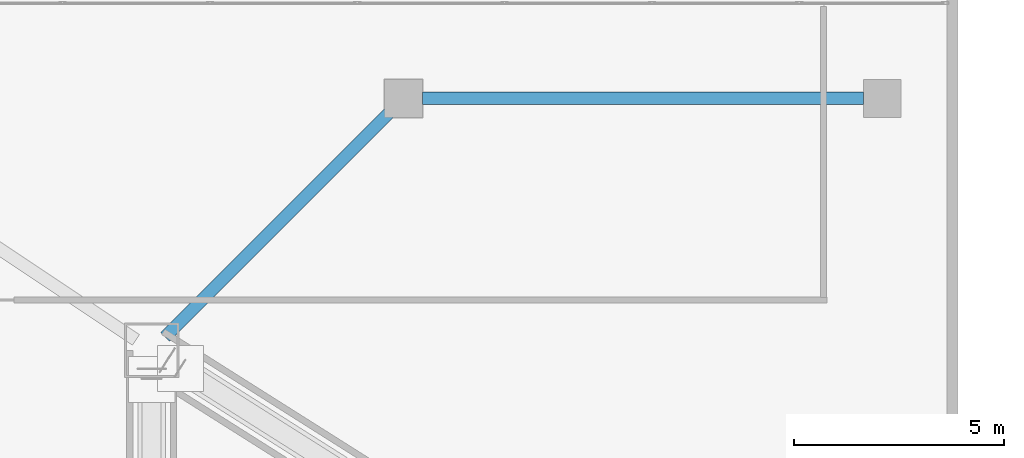
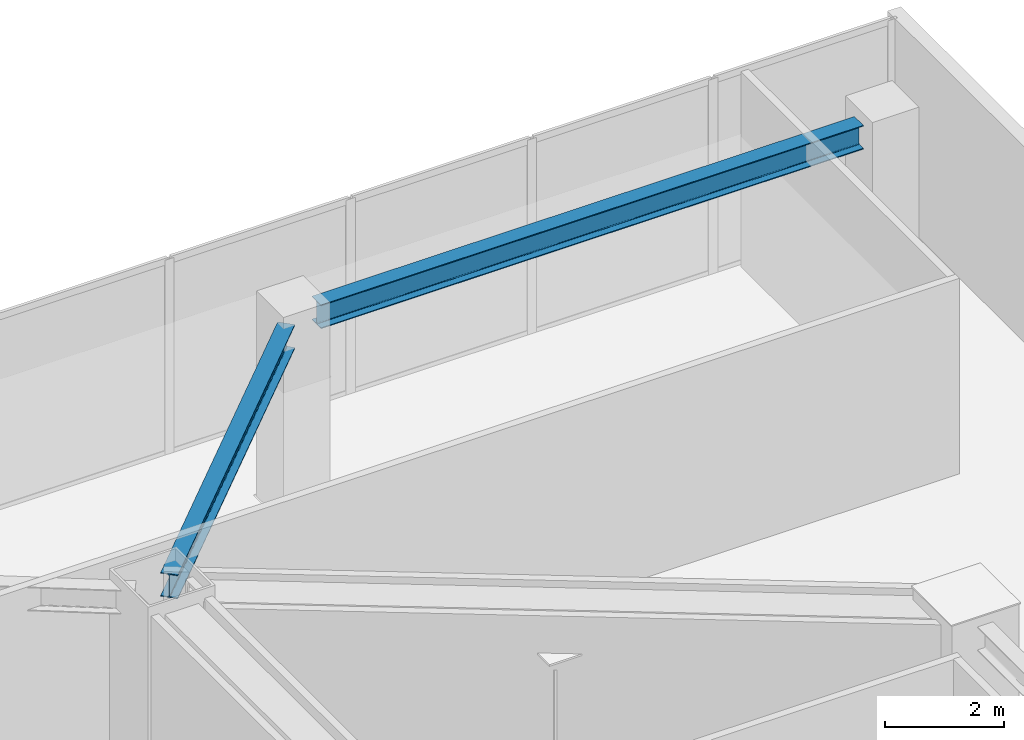
# One storey, part 16 of 39: 2 beams.
"""IFC4 building model written with IfcOpenShell, lengths in metres."""

import ifcopenshell
import ifcopenshell.guid

model = None  # the IFC model being written
_history = None  # IfcOwnerHistory: only IFC2X3 demands one
_inside = {}  # id of a spatial element -> (the spatial element, [elements in it])
_under = {}  # id of a project, library or spatial element -> (it, [spatial elements below it])
_declared = {}  # id of a project -> (the project, [libraries it declares])
_typed = {}  # id of a type object -> (the type object, [elements of that type])
_made_of = {}  # id of a material, layer set ... -> (it, [elements and type objects made of it])


def new_model(schema):
    """Start an empty IFC model of exactly this schema.

    Asked for "IFC4X3", IfcOpenShell would pick the latest addendum, in which some entities
    have other attributes; the version numbers below select the first issue.
    IFC2X3 requires an IfcOwnerHistory on every rooted entity: one is made here for all.
    """
    global model, _history
    if schema == "IFC4X3":
        model = ifcopenshell.file(schema_version=(4, 3, 0, 0))
    else:
        model = ifcopenshell.file(schema=schema)
    _inside.clear()
    _under.clear()
    _declared.clear()
    _typed.clear()
    _made_of.clear()
    _history = None
    if model.schema == "IFC2X3":
        org = make("IfcOrganization", Name="unknown")
        user = make(
            "IfcPersonAndOrganization",
            ThePerson=make("IfcPerson", FamilyName="unknown"),
            TheOrganization=org,
        )
        app = make(
            "IfcApplication",
            ApplicationDeveloper=org,
            Version="unknown",
            ApplicationFullName="unknown",
            ApplicationIdentifier="unknown",
        )
        _history = make(
            "IfcOwnerHistory",
            OwningUser=user,
            OwningApplication=app,
            ChangeAction="ADDED",
            CreationDate=0,
        )
    return model


def make(cls, **values):
    """One entity of the class cls with the attributes given. An attribute that is None is left unset."""
    return model.create_entity(
        cls, **{name: value for name, value in values.items() if value is not None}
    )


def rooted(cls, **values):
    """An entity with a GlobalId (a new one), such as an element, a storey or a relation."""
    return make(cls, GlobalId=ifcopenshell.guid.new(), OwnerHistory=_history, **values)


def si_unit(unit_type, name, prefix=None):
    """IfcSIUnit, for example si_unit("LENGTHUNIT", "METRE", prefix="MILLI")."""
    return make("IfcSIUnit", UnitType=unit_type, Prefix=prefix, Name=name)


def assignment(units):
    """IfcUnitAssignment: the units of a project."""
    return None if units is None else make("IfcUnitAssignment", Units=units)


def point(xyz):
    """IfcCartesianPoint."""
    return None if xyz is None else make("IfcCartesianPoint", Coordinates=xyz)


def direction(xyz):
    """IfcDirection."""
    return None if xyz is None else make("IfcDirection", DirectionRatios=xyz)


def frame(location, z_axis=None, x_axis=None):
    """IfcAxis2Placement3D, a coordinate frame: its origin and axes. An axis left out is left unset."""
    return make(
        "IfcAxis2Placement3D",
        Location=point(location),
        Axis=direction(z_axis),
        RefDirection=direction(x_axis),
    )


def frame_2d(location, x_axis=None):
    """IfcAxis2Placement2D, a coordinate frame in the plane: its origin and x axis."""
    return make(
        "IfcAxis2Placement2D", Location=point(location), RefDirection=direction(x_axis)
    )


def origin():
    """The frame at (0, 0, 0) with its axes left unset."""
    return frame((0.0, 0.0, 0.0))


def origin_2d():
    """The frame at (0, 0) in the plane with its x axis left unset."""
    return frame_2d((0.0, 0.0))


def place(relative_to, where):
    """IfcLocalPlacement: puts the frame where relative to a parent placement (None: the world)."""
    return make(
        "IfcLocalPlacement", PlacementRelTo=relative_to, RelativePlacement=where
    )


def context(
    kind, dimensions, precision=None, world=None, true_north=None, identifier=None
):
    """IfcGeometricRepresentationContext, for example the 3D "Model" context."""
    return make(
        "IfcGeometricRepresentationContext",
        ContextIdentifier=identifier,
        ContextType=kind,
        CoordinateSpaceDimension=dimensions,
        Precision=precision,
        WorldCoordinateSystem=world,
        TrueNorth=true_north,
    )


def subcontext(parent, identifier, kind, view, scale=None):
    """IfcGeometricRepresentationSubContext, for example "Body" below "Model"."""
    return make(
        "IfcGeometricRepresentationSubContext",
        ContextIdentifier=identifier,
        ContextType=kind,
        ParentContext=parent,
        TargetScale=scale,
        TargetView=view,
    )


def project(units=None, contexts=None):
    """IfcProject with its units and contexts."""
    return rooted(
        "IfcProject",
        Name="project",
        RepresentationContexts=contexts,
        UnitsInContext=assignment(units),
    )


def spatial(cls, under=None, at=None, **own):
    """A site, building, storey or space (cls), placed at a placement, below another one or the project."""
    s = rooted(cls, ObjectPlacement=at, **own)
    if under is not None:
        _under.setdefault(under.id(), (under, []))[1].append(s)
    return s


def profile(cls, at=None, kind="AREA", **sizes):
    """A parametric profile (cls). Its sizes go by their IFC names, for example OverallWidth=200.0."""
    return make(cls, ProfileType=kind, Position=at, **sizes)


def i_section(**sizes):
    """IfcIShapeProfileDef."""
    return profile("IfcIShapeProfileDef", **sizes)


def extrude(swept, where, along, depth):
    """IfcExtrudedAreaSolid: the profile swept, set in the frame where, extruded along a direction by depth."""
    return make(
        "IfcExtrudedAreaSolid",
        SweptArea=swept,
        Position=where,
        ExtrudedDirection=direction(along),
        Depth=depth,
    )


def shape(context_of_items, identifier, shape_type, items):
    """IfcShapeRepresentation: the items that make up one representation, for example the "Body"."""
    return make(
        "IfcShapeRepresentation",
        ContextOfItems=context_of_items,
        RepresentationIdentifier=identifier,
        RepresentationType=shape_type,
        Items=items,
    )


def material(Name=None, Category=None):
    """IfcMaterial."""
    return make("IfcMaterial", Name=Name, Category=Category)


def material_profile(
    of_material, cross_section, Name=None, Category=None, Priority=None
):
    """IfcMaterialProfile: a cross section and its material."""
    return make(
        "IfcMaterialProfile",
        Name=Name,
        Material=of_material,
        Profile=cross_section,
        Priority=Priority,
        Category=Category,
    )


def profile_set(profiles, Name=None, composite=None):
    """IfcMaterialProfileSet."""
    return make(
        "IfcMaterialProfileSet",
        Name=Name,
        MaterialProfiles=profiles,
        CompositeProfile=composite,
    )


def made_of(thing, what):
    """Note that an element or type object is made of a material, layer set ...; save() writes the relation."""
    if what is not None:
        _made_of.setdefault(what.id(), (what, []))[1].append(thing)
    return thing


def type_object(cls, material=None, **own):
    """A type object (cls), such as IfcWallType, which elements share."""
    return made_of(rooted(cls, **own), material)


def element(
    cls,
    number,
    at=None,
    inside=None,
    cuts=None,
    type_object=None,
    material=None,
    context=None,
    identifier="Body",
    shape_type=None,
    held_by="IfcProductDefinitionShape",
    body=None,
    shapes=None,
    **own,
):
    """One element of the class cls, such as IfcWall. Its Tag is "e" and its number.

    at: its placement. inside: the storey or other place that contains it. cuts: it is an
    opening in that element (IfcRelVoidsElement). A single representation is given by context,
    identifier, shape_type and body (its items); several are given by shapes. held_by: the class
    of the entity that holds the representations. save() writes the other relations.
    """
    e = rooted(cls, Tag="e%d" % number, ObjectPlacement=at, **own)
    if body is not None:
        shapes = [shape(context, identifier, shape_type, body)]
    if shapes is not None:
        e.Representation = make(held_by, Representations=shapes)
    if inside is not None:
        _inside.setdefault(inside.id(), (inside, []))[1].append(e)
    if cuts is not None:
        rooted(
            "IfcRelVoidsElement", RelatingBuildingElement=cuts, RelatedOpeningElement=e
        )
    if type_object is not None:
        _typed.setdefault(type_object.id(), (type_object, []))[1].append(e)
    return made_of(e, material)


def aggregate(whole, parts):
    """IfcRelAggregates: a whole, such as a stair, and the parts it consists of."""
    return rooted("IfcRelAggregates", RelatingObject=whole, RelatedObjects=parts)


def save(model, path):
    """Write the relations noted so far, then the file.

    IfcRelAggregates (storeys below a building ...), IfcRelContainedInSpatialStructure (elements
    in a storey), IfcRelDefinesByType, IfcRelAssociatesMaterial and IfcRelDeclares: one each for
    every whole, place, type object, material and project.
    """
    for whole, parts in _under.values():
        aggregate(whole, parts)
    for where, things in _inside.values():
        rooted(
            "IfcRelContainedInSpatialStructure",
            RelatedElements=things,
            RelatingStructure=where,
        )
    for kind, things in _typed.values():
        rooted("IfcRelDefinesByType", RelatedObjects=things, RelatingType=kind)
    for what, things in _made_of.values():
        rooted("IfcRelAssociatesMaterial", RelatedObjects=things, RelatingMaterial=what)
    for by, libraries in _declared.values():
        rooted("IfcRelDeclares", RelatingContext=by, RelatedDefinitions=libraries)
    model.write(path)


model = new_model("IFC4")

# Units and contexts
model_context = context("Model", 3, precision=1e-05, world=origin(), true_north=direction((0.0, 1.0)))
body_context = subcontext(model_context, "Body", "Model", "MODEL_VIEW")
ifc_project = project(units=[si_unit("LENGTHUNIT", "METRE"), si_unit("AREAUNIT", "SQUARE_METRE"), si_unit("VOLUMEUNIT", "CUBIC_METRE"), si_unit("PLANEANGLEUNIT", "RADIAN"), si_unit("MASSUNIT", "GRAM", prefix="KILO")], contexts=[model_context])

# Site, building, storey
site_placement = place(None, origin())
site = spatial("IfcSite", under=ifc_project, at=site_placement, CompositionType="ELEMENT")
building_placement = place(site_placement, origin())
building = spatial("IfcBuilding", under=site, at=building_placement, Name="Haolan Belvedere Tower", CompositionType="ELEMENT")
storey_placement = place(building_placement, frame((0.0, 0.0, 19.800048828125)))
storey = spatial("IfcBuildingStorey", under=building, at=storey_placement, Name="L04", CompositionType="ELEMENT", Elevation=19.800048828125)

# Beams
ifc_material = material(Name="Steel Q355B", Category="steel")
ifc_material_profile = material_profile(ifc_material, i_section(OverallWidth=0.300048828125, OverallDepth=0.488037109375, WebThickness=0.010986328125, FlangeThickness=0.01806640625, FilletRadius=0.02587890625, at=origin_2d()), Name="Steel Q355B")
ifc_profile_set = profile_set([ifc_material_profile], Name="Steel Q355B")
beam_type = type_object("IfcBeamType", Name="BM-HM488x300x11x18", PredefinedType="SPANDREL", material=ifc_profile_set)
beam_1_placement = place(storey_placement, frame((53.1181640625, 45.918212890625, 3.716064453125), z_axis=(0.707106781187, 0.707106781187, 0.0), x_axis=(-0.707106781187, 0.707106781187, 0.0)))
element("IfcBeam", 1, at=beam_1_placement, inside=storey, type_object=beam_type, Name="L04 spandrel girder MC-T3-NE-PC-NE-1", PredefinedType="SPANDREL", context=body_context, shape_type="SweptSolid", body=[
    extrude(i_section(OverallWidth=0.300048828125, OverallDepth=0.488037109375, WebThickness=0.010986328125, FlangeThickness=0.01806640625, FilletRadius=0.02587890625, at=origin_2d()), origin(), (0.0, 0.0, 1.0), 7.585205078125),
])
beam_2_placement = place(storey_placement, frame((59.25, 51.60009765625, 3.716064453125), z_axis=(1.0, 0.0, 0.0), x_axis=(0.0, 1.0, 0.0)))
element("IfcBeam", 2, at=beam_2_placement, inside=storey, type_object=beam_type, Name="L04 spandrel girder PC-NE-1-PC-NE-2", PredefinedType="SPANDREL", context=body_context, shape_type="SweptSolid", body=[
    extrude(i_section(OverallWidth=0.300048828125, OverallDepth=0.488037109375, WebThickness=0.010986328125, FlangeThickness=0.01806640625, FilletRadius=0.02587890625, at=origin_2d()), origin(), (0.0, 0.0, 1.0), 10.5),
])

save(model, "model.ifc")
